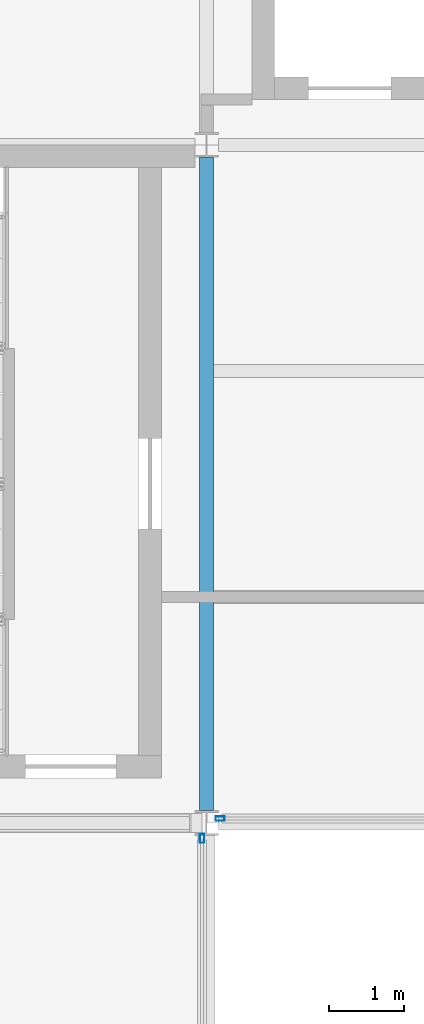
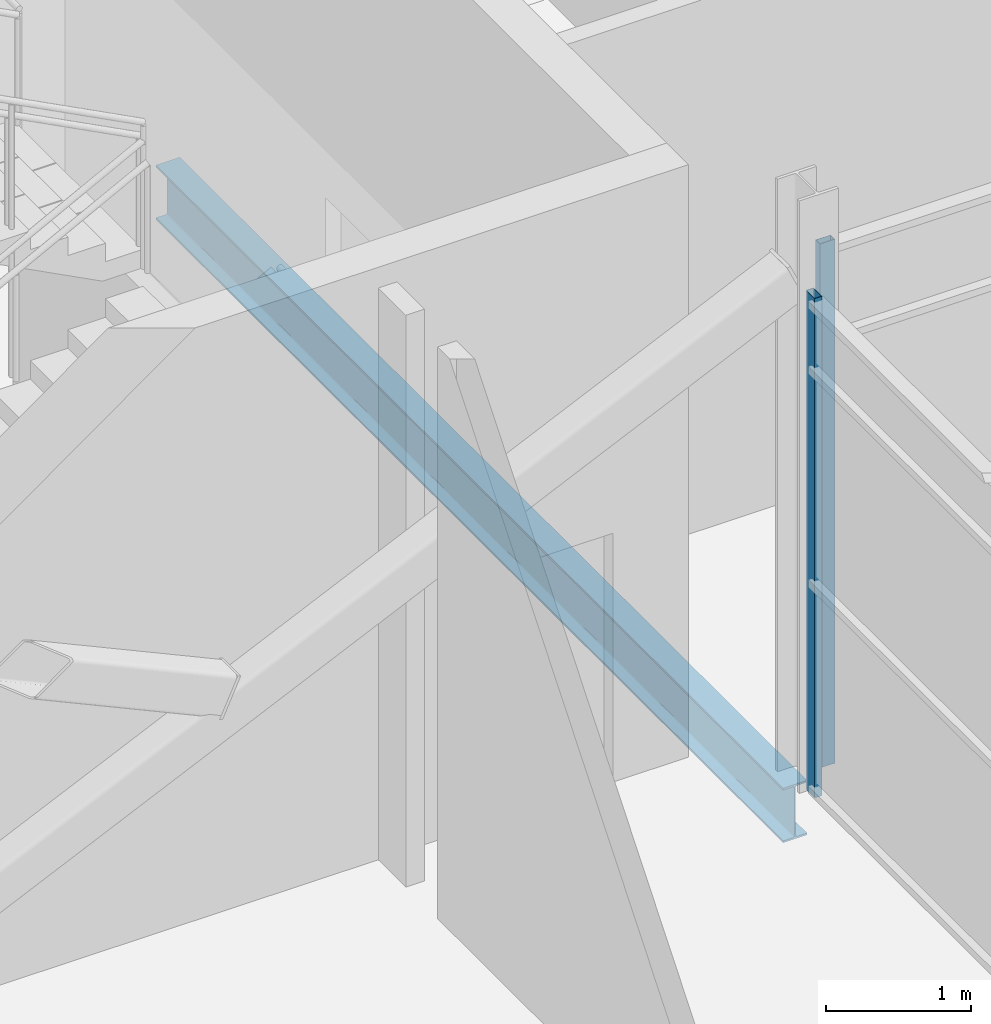
# One storey, part 41 of 112: 2 members, 1 beam, 2 elements without a shape of their own.
"""IFC4 building model written with IfcOpenShell, lengths in metres."""

from ifc_helpers import new_model, si_unit, direction, frame, origin, origin_2d, place, context, subcontext, project, spatial, hollow_rectangle, i_section, extrude, material, layer, layer_set, material_profile, profile_set, type_object, element, aggregate, save


model = new_model("IFC4")

# Units and contexts
model_context = context("Model", 3, precision=1e-05, world=origin(), true_north=direction((0.0, 1.0)))
body_context = subcontext(model_context, "Body", "Model", "MODEL_VIEW")
ifc_project = project(units=[si_unit("LENGTHUNIT", "METRE"), si_unit("AREAUNIT", "SQUARE_METRE"), si_unit("VOLUMEUNIT", "CUBIC_METRE"), si_unit("PLANEANGLEUNIT", "RADIAN"), si_unit("MASSUNIT", "GRAM", prefix="KILO")], contexts=[model_context])

# Site, building, storey
site_placement = place(None, origin())
site = spatial("IfcSite", under=ifc_project, at=site_placement, CompositionType="ELEMENT")
building_placement = place(site_placement, origin())
building = spatial("IfcBuilding", under=site, at=building_placement, Name="Shorebreak Coast Museum", CompositionType="ELEMENT")
storey_placement = place(building_placement, frame((0.0, 0.0, 6.0)))
storey = spatial("IfcBuildingStorey", under=building, at=storey_placement, Name="L01", CompositionType="ELEMENT", Elevation=6.0)

# Beam
ifc_material_1 = material(Name="Steel Grade 300", Category="steel")
ifc_material_profile_1 = material_profile(ifc_material_1, i_section(OverallWidth=0.19091796875, OverallDepth=0.46044921875, WebThickness=0.010009765625, FlangeThickness=0.01611328125, FilletRadius=0.011474609375, at=origin_2d()), Name="460UB82.1")
ifc_profile_set_1 = profile_set([ifc_material_profile_1], Name="Steel Grade 300")
beam_type = type_object("IfcBeamType", Name="Floor girder north-south 460UB82.1", PredefinedType="BEAM", material=ifc_profile_set_1)
beam_placement = place(storey_placement, frame((63.0, 81.16357421875, -0.4052734375), z_axis=(0.0, 1.0, 0.0), x_axis=(-1.0, 0.0, 0.0)))
element("IfcBeam", 1, at=beam_placement, inside=storey, type_object=beam_type, Name="Floor girder north-south L01 8K", PredefinedType="BEAM", context=body_context, shape_type="SweptSolid", body=[
    extrude(i_section(OverallWidth=0.19091796875, OverallDepth=0.46044921875, WebThickness=0.010009765625, FlangeThickness=0.01611328125, FilletRadius=0.011474609375, at=origin_2d()), origin(), (0.0, 0.0, 1.0), 8.6728515625),
])

# Curtain wall, member
ifc_material_2 = material(Name="Aluminium", Category="aluminium")
ifc_layer = layer(ifc_material_2, 0.1201171875)
ifc_layer_set = layer_set([ifc_layer], Name="Aluminium")
curtain_wall_type = type_object("IfcCurtainWallType", Name="Atrium fire screen", PredefinedType="NOTDEFINED", material=ifc_layer_set)
curtain_wall_1_placement = place(storey_placement, origin())
curtain_wall_1 = element("IfcCurtainWall", 2, at=curtain_wall_1_placement, inside=storey, type_object=curtain_wall_type, Name="Atrium screen L01 N 7", PredefinedType="NOTDEFINED")
ifc_material_3 = material(Name="Aluminium", Category="aluminium")
ifc_material_profile_2 = material_profile(ifc_material_3, hollow_rectangle(XDim=0.06005859375, YDim=0.1201171875, WallThickness=0.00341796875, at=origin_2d()), Name="AL 120x60 RHS")
ifc_profile_set_2 = profile_set([ifc_material_profile_2], Name="Aluminium")
member_type = type_object("IfcMemberType", Name="Screen mullion 50 x 120", PredefinedType="MULLION", material=ifc_profile_set_2)
member_1_placement = place(storey_placement, frame((63.180419921875, 81.06005859375, 0.0), z_axis=(0.0, 0.0, 1.0), x_axis=(0.0, 1.0, 0.0)))
member_1 = element("IfcMember", 3, at=member_1_placement, type_object=member_type, Name="CW5 mullion 1", PredefinedType="MULLION", context=body_context, shape_type="SweptSolid", body=[
    extrude(hollow_rectangle(XDim=0.06005859375, YDim=0.1201171875, WallThickness=0.00341796875, at=origin_2d()), origin(), (0.0, 0.0, 1.0), 4.42236328125),
])
aggregate(curtain_wall_1, [member_1])

curtain_wall_2_placement = place(storey_placement, origin())
curtain_wall_2 = element("IfcCurtainWall", 4, at=curtain_wall_2_placement, inside=storey, type_object=curtain_wall_type, Name="Atrium screen L01 W 13", PredefinedType="NOTDEFINED")
member_2_placement = place(storey_placement, frame((62.93994140625, 80.79736328125, 0.0), z_axis=(0.0, 0.0, 1.0), x_axis=(-1.0, 0.0, 0.0)))
member_2 = element("IfcMember", 5, at=member_2_placement, type_object=member_type, Name="CW5 mullion 4", PredefinedType="MULLION", context=body_context, shape_type="SweptSolid", body=[
    extrude(hollow_rectangle(XDim=0.06005859375, YDim=0.1201171875, WallThickness=0.00341796875, at=origin_2d()), origin(), (0.0, 0.0, 1.0), 4.212890625),
])
aggregate(curtain_wall_2, [member_2])

save(model, "model.ifc")
